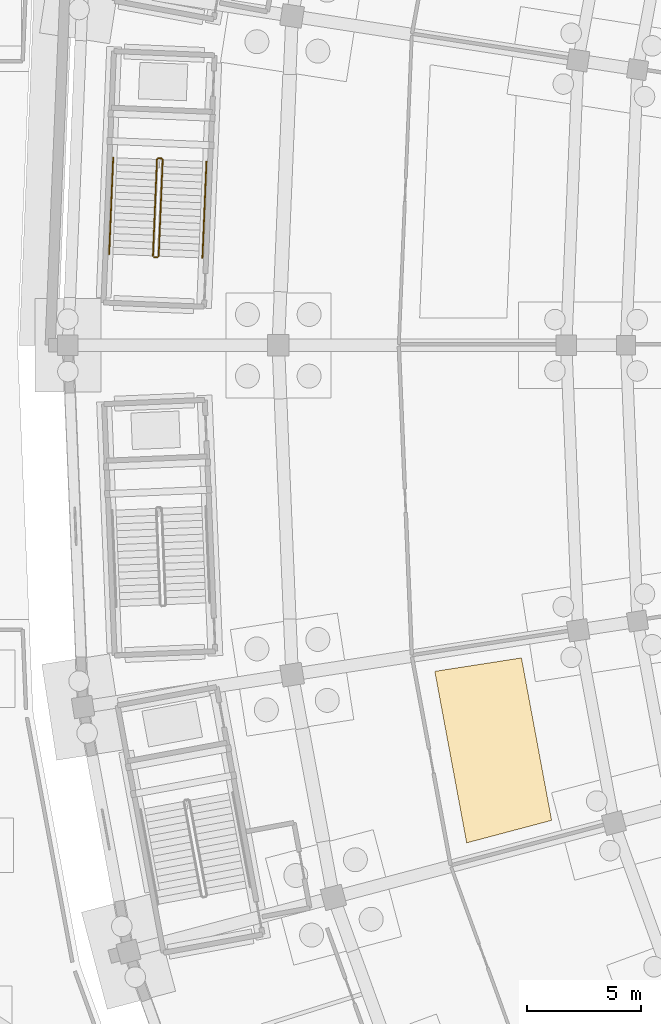
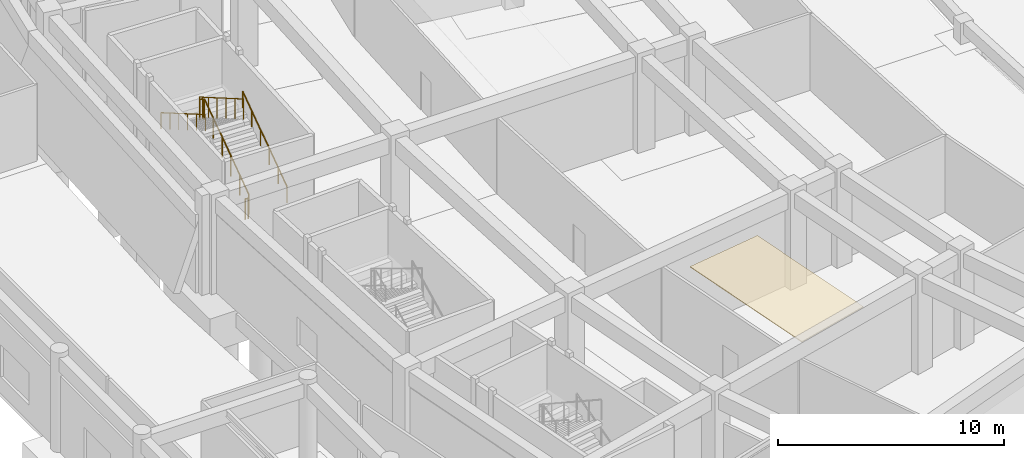
# One storey, part 74 of 88: 6 railings, 1 covering.
"""IFC4 building model written with IfcOpenShell, lengths in metres."""

from ifc_helpers import new_model, si_unit, direction, frame, origin, origin_2d, place, context, subcontext, project, spatial, polyline, circle, outline, extrude, material, layer, layer_set, type_object, element, save


model = new_model("IFC4")

# Units and contexts
model_context = context("Model", 3, precision=1e-05, world=origin(), true_north=direction((0.0, 1.0)))
body_context = subcontext(model_context, "Body", "Model", "MODEL_VIEW")
ifc_project = project(units=[si_unit("LENGTHUNIT", "METRE"), si_unit("AREAUNIT", "SQUARE_METRE"), si_unit("VOLUMEUNIT", "CUBIC_METRE"), si_unit("PLANEANGLEUNIT", "RADIAN"), si_unit("MASSUNIT", "GRAM", prefix="KILO")], contexts=[model_context])

# Site, building, storey
site_placement = place(None, origin())
site = spatial("IfcSite", under=ifc_project, at=site_placement, CompositionType="ELEMENT")
building_placement = place(site_placement, origin())
building = spatial("IfcBuilding", under=site, at=building_placement, Name="Mphavela Belvedere Stadium", CompositionType="ELEMENT")
storey_placement = place(building_placement, origin())
storey = spatial("IfcBuildingStorey", under=building, at=storey_placement, Name="L00", CompositionType="ELEMENT", Elevation=0.0)

# Covering
ifc_material_1 = material(Name="Perforated acoustic mineral ceiling tile")
ifc_layer = layer(ifc_material_1, 0.0400390625)
ifc_layer_set = layer_set([ifc_layer], Name="Perforated acoustic mineral ceiling tile")
covering_type = type_object("IfcCoveringType", Name="COV-CEILING-ACOUSTIC", PredefinedType="CEILING", material=ifc_layer_set)
covering_placement = place(storey_placement, frame((0.0, 0.0, 4.10009765625)))
element("IfcCovering", 1, at=covering_placement, inside=storey, type_object=covering_type, Name="Concourse acoustic ceiling L00-26", PredefinedType="CEILING", context=body_context, shape_type="SweptSolid", body=[
    extrude(outline(polyline([(32.044677734375, 73.307373046875), (33.365966796875, 66.193603515625), (29.646728515625, 65.20751953125), (28.25146484375, 72.718994140625), (32.044677734375, 73.307373046875)])), origin(), (0.0, 0.0, 1.0), 0.039794921875),
])

# Railings
ifc_material_2 = material(Name="Painted galvanised steel stair guardrail", Category="steel")
railing_type_1 = type_object("IfcRailingType", Name="RAL-GUARD-1120", PredefinedType="GUARDRAIL", material=ifc_material_2)
railing_1_placement = place(storey_placement, frame((16.15478515625, 90.906005859375, 0.179931640625)))
element("IfcRailing", 2, at=railing_1_placement, inside=storey, type_object=railing_type_1, Name="L00 ST-C07 stair guard 1", PredefinedType="GUARDRAIL", context=body_context, shape_type="SweptSolid", body=[
    extrude(circle(Radius=0.02392578125, at=origin_2d()), frame((0.0, 0.0, 1.09619140625), z_axis=(0.035960641824, 0.858244117915, 0.51198033781), x_axis=(-0.999123338739, 0.041863516187, 0.0)), (0.0, 0.0, 1.0), 4.922119140625),
    extrude(circle(Radius=0.02099609375, at=origin_2d()), origin(), (0.0, 0.0, 1.0), 1.072021484375),
    extrude(circle(Radius=0.02099609375, at=origin_2d()), frame((0.035400390625, 0.844970703125, 0.50390625)), (0.0, 0.0, 1.0), 1.072021484375),
    extrude(circle(Radius=0.02099609375, at=origin_2d()), frame((0.07080078125, 1.689697265625, 1.008056640625)), (0.0, 0.0, 1.0), 1.072021484375),
    extrude(circle(Radius=0.02099609375, at=origin_2d()), frame((0.106201171875, 2.53466796875, 1.511962890625)), (0.0, 0.0, 1.0), 1.072021484375),
    extrude(circle(Radius=0.02099609375, at=origin_2d()), frame((0.1416015625, 3.37939453125, 2.01611328125)), (0.0, 0.0, 1.0), 1.072021484375),
    extrude(circle(Radius=0.02099609375, at=origin_2d()), frame((0.177001953125, 4.224365234375, 2.52001953125)), (0.0, 0.0, 1.0), 1.072021484375),
])
railing_2_placement = place(storey_placement, frame((16.283935546875, 95.182373046875, 2.699951171875)))
element("IfcRailing", 3, at=railing_2_placement, inside=storey, type_object=railing_type_1, Name="L00 ST-C07 stair guard 2", PredefinedType="GUARDRAIL", context=body_context, shape_type="SweptSolid", body=[
    extrude(circle(Radius=0.02392578125, at=origin_2d()), frame((0.0, 0.0, 1.09619140625), z_axis=(-0.999104642697, 0.04230736272, 0.0), x_axis=(-0.04230736272, -0.999104642697, 0.0)), (0.0, 0.0, 1.0), 0.150146484375),
    extrude(circle(Radius=0.02099609375, at=origin_2d()), origin(), (0.0, 0.0, 1.0), 1.072021484375),
    extrude(circle(Radius=0.02099609375, at=origin_2d()), frame((-0.14990234375, 0.00634765625, 0.0)), (0.0, 0.0, 1.0), 1.072021484375),
])
railing_3_placement = place(storey_placement, frame((16.08203125, 95.140869140625, 2.8798828125)))
element("IfcRailing", 4, at=railing_3_placement, inside=storey, type_object=railing_type_1, Name="L00 ST-C07 stair guard 3", PredefinedType="GUARDRAIL", context=body_context, shape_type="SweptSolid", body=[
    extrude(circle(Radius=0.02392578125, at=origin_2d()), frame((0.0, 0.0, 1.09619140625), z_axis=(-0.035960641824, -0.858244117915, 0.51198033781), x_axis=(0.999123338739, -0.041863516187, 0.0)), (0.0, 0.0, 1.0), 4.922119140625),
    extrude(circle(Radius=0.02099609375, at=origin_2d()), origin(), (0.0, 0.0, 1.0), 1.072021484375),
    extrude(circle(Radius=0.02099609375, at=origin_2d()), frame((-0.035400390625, -0.844970703125, 0.50390625)), (0.0, 0.0, 1.0), 1.072021484375),
    extrude(circle(Radius=0.02099609375, at=origin_2d()), frame((-0.07080078125, -1.689697265625, 1.008056640625)), (0.0, 0.0, 1.0), 1.072021484375),
    extrude(circle(Radius=0.02099609375, at=origin_2d()), frame((-0.106201171875, -2.53466796875, 1.511962890625)), (0.0, 0.0, 1.0), 1.072021484375),
    extrude(circle(Radius=0.02099609375, at=origin_2d()), frame((-0.1416015625, -3.37939453125, 2.01611328125)), (0.0, 0.0, 1.0), 1.072021484375),
    extrude(circle(Radius=0.02099609375, at=origin_2d()), frame((-0.177001953125, -4.224365234375, 2.52001953125)), (0.0, 0.0, 1.0), 1.072021484375),
])
railing_4_placement = place(storey_placement, frame((16.102783203125, 90.858154296875, 0.0)))
element("IfcRailing", 5, at=railing_4_placement, inside=storey, type_object=railing_type_1, Name="L00 ST-C07 stair guard 4", PredefinedType="GUARDRAIL", context=body_context, shape_type="SweptSolid", body=[
    extrude(circle(Radius=0.02392578125, at=origin_2d()), frame((0.0, 0.0, 1.09619140625), z_axis=(-0.999104642697, 0.04230736272, 0.0), x_axis=(-0.04230736272, -0.999104642697, 0.0)), (0.0, 0.0, 1.0), 0.150146484375),
    extrude(circle(Radius=0.02099609375, at=origin_2d()), origin(), (0.0, 0.0, 1.0), 1.072021484375),
    extrude(circle(Radius=0.02099609375, at=origin_2d()), frame((-0.14990234375, 0.00634765625, 0.0)), (0.0, 0.0, 1.0), 1.072021484375),
])
ifc_material_3 = material(Name="Brushed stainless steel tubular handrail", Category="steel")
railing_type_2 = type_object("IfcRailingType", Name="RAL-HANDRAIL-900", PredefinedType="HANDRAIL", material=ifc_material_3)
railing_5_placement = place(storey_placement, frame((18.072998046875, 90.82568359375, 0.179931640625)))
element("IfcRailing", 6, at=railing_5_placement, inside=storey, type_object=railing_type_2, Name="L00 ST-C07 stair handrail 1", PredefinedType="HANDRAIL", context=body_context, shape_type="SweptSolid", body=[
    extrude(circle(Radius=0.02392578125, at=origin_2d()), frame((0.0, 0.0, 0.8759765625), z_axis=(0.035962172711, 0.858231051363, 0.512002133405), x_axis=(-0.999123237533, 0.041865931523, 0.0)), (0.0, 0.0, 1.0), 4.921875),
    extrude(circle(Radius=0.02099609375, at=origin_2d()), origin(), (0.0, 0.0, 1.0), 0.851806640625),
    extrude(circle(Radius=0.02099609375, at=origin_2d()), frame((0.035400390625, 0.8447265625, 0.50390625)), (0.0, 0.0, 1.0), 0.851806640625),
    extrude(circle(Radius=0.02099609375, at=origin_2d()), frame((0.07080078125, 1.689697265625, 1.008056640625)), (0.0, 0.0, 1.0), 0.851806640625),
    extrude(circle(Radius=0.02099609375, at=origin_2d()), frame((0.106201171875, 2.534423828125, 1.511962890625)), (0.0, 0.0, 1.0), 0.851806640625),
    extrude(circle(Radius=0.02099609375, at=origin_2d()), frame((0.1416015625, 3.37939453125, 2.01611328125)), (0.0, 0.0, 1.0), 0.851806640625),
    extrude(circle(Radius=0.02099609375, at=origin_2d()), frame((0.177001953125, 4.22412109375, 2.52001953125)), (0.0, 0.0, 1.0), 0.851806640625),
])
railing_6_placement = place(storey_placement, frame((14.16357421875, 95.22119140625, 2.8798828125)))
element("IfcRailing", 7, at=railing_6_placement, inside=storey, type_object=railing_type_2, Name="L00 ST-C07 stair handrail 2", PredefinedType="HANDRAIL", context=body_context, shape_type="SweptSolid", body=[
    extrude(circle(Radius=0.02392578125, at=origin_2d()), frame((0.0, 0.0, 0.8759765625), z_axis=(-0.035960641824, -0.858244117915, 0.51198033781), x_axis=(0.999123338739, -0.041863516187, 0.0)), (0.0, 0.0, 1.0), 4.922119140625),
    extrude(circle(Radius=0.02099609375, at=origin_2d()), origin(), (0.0, 0.0, 1.0), 0.851806640625),
    extrude(circle(Radius=0.02099609375, at=origin_2d()), frame((-0.035400390625, -0.844970703125, 0.50390625)), (0.0, 0.0, 1.0), 0.851806640625),
    extrude(circle(Radius=0.02099609375, at=origin_2d()), frame((-0.07080078125, -1.689697265625, 1.008056640625)), (0.0, 0.0, 1.0), 0.851806640625),
    extrude(circle(Radius=0.02099609375, at=origin_2d()), frame((-0.106201171875, -2.53466796875, 1.511962890625)), (0.0, 0.0, 1.0), 0.851806640625),
    extrude(circle(Radius=0.02099609375, at=origin_2d()), frame((-0.1416015625, -3.37939453125, 2.01611328125)), (0.0, 0.0, 1.0), 0.851806640625),
    extrude(circle(Radius=0.02099609375, at=origin_2d()), frame((-0.177001953125, -4.224365234375, 2.52001953125)), (0.0, 0.0, 1.0), 0.851806640625),
])

save(model, "model.ifc")
